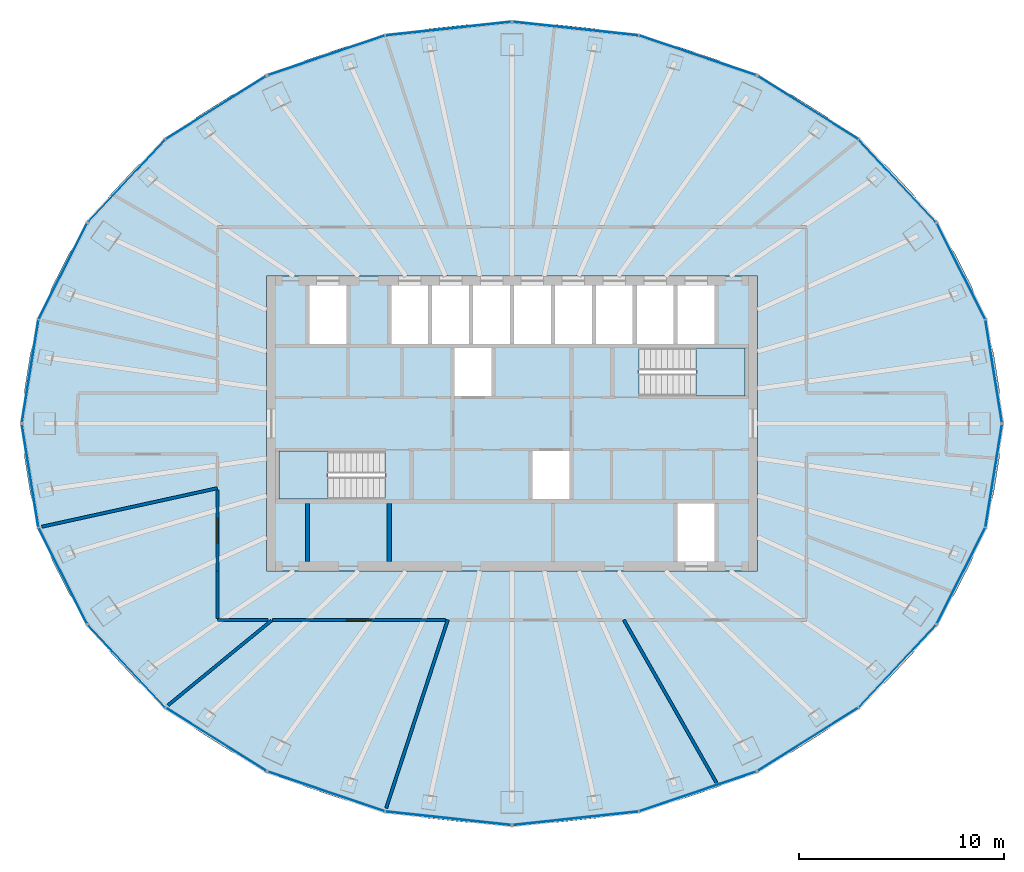
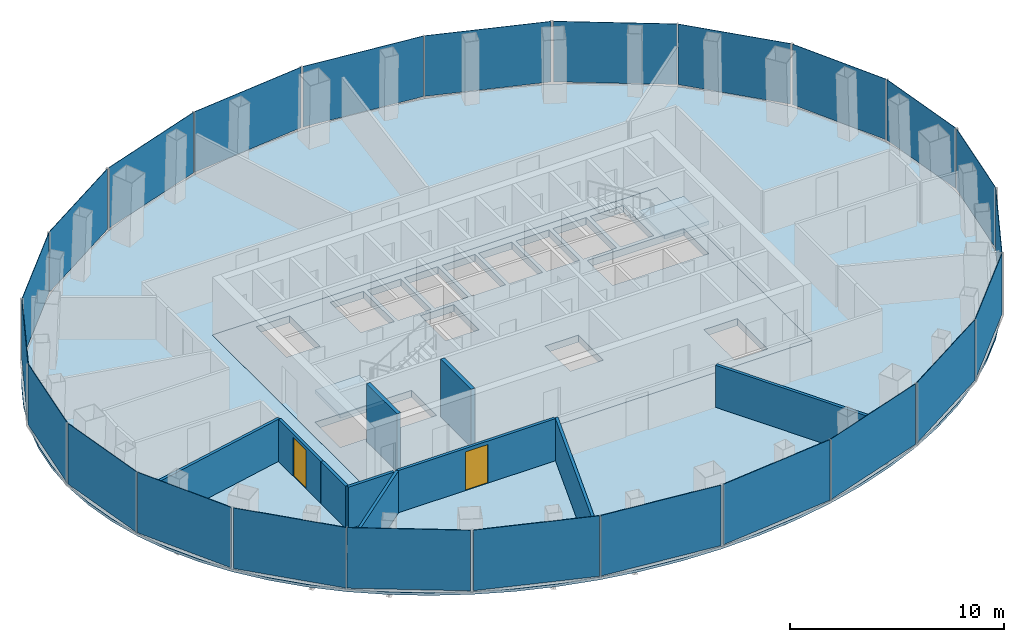
# One storey, part 6 of 10: 24 plates, 10 walls, 4 slabs, 2 doors, 2 openings, 14 elements without a shape of their own.
"""IFC4 building model written with IfcOpenShell, lengths in metres."""

import ifcopenshell
import ifcopenshell.guid

model = None  # the IFC model being written
_history = None  # IfcOwnerHistory: only IFC2X3 demands one
_inside = {}  # id of a spatial element -> (the spatial element, [elements in it])
_under = {}  # id of a project, library or spatial element -> (it, [spatial elements below it])
_declared = {}  # id of a project -> (the project, [libraries it declares])
_typed = {}  # id of a type object -> (the type object, [elements of that type])
_made_of = {}  # id of a material, layer set ... -> (it, [elements and type objects made of it])


def new_model(schema):
    """Start an empty IFC model of exactly this schema.

    Asked for "IFC4X3", IfcOpenShell would pick the latest addendum, in which some entities
    have other attributes; the version numbers below select the first issue.
    IFC2X3 requires an IfcOwnerHistory on every rooted entity: one is made here for all.
    """
    global model, _history
    if schema == "IFC4X3":
        model = ifcopenshell.file(schema_version=(4, 3, 0, 0))
    else:
        model = ifcopenshell.file(schema=schema)
    _inside.clear()
    _under.clear()
    _declared.clear()
    _typed.clear()
    _made_of.clear()
    _history = None
    if model.schema == "IFC2X3":
        org = make("IfcOrganization", Name="unknown")
        user = make(
            "IfcPersonAndOrganization",
            ThePerson=make("IfcPerson", FamilyName="unknown"),
            TheOrganization=org,
        )
        app = make(
            "IfcApplication",
            ApplicationDeveloper=org,
            Version="unknown",
            ApplicationFullName="unknown",
            ApplicationIdentifier="unknown",
        )
        _history = make(
            "IfcOwnerHistory",
            OwningUser=user,
            OwningApplication=app,
            ChangeAction="ADDED",
            CreationDate=0,
        )
    return model


def make(cls, **values):
    """One entity of the class cls with the attributes given. An attribute that is None is left unset."""
    return model.create_entity(
        cls, **{name: value for name, value in values.items() if value is not None}
    )


def rooted(cls, **values):
    """An entity with a GlobalId (a new one), such as an element, a storey or a relation."""
    return make(cls, GlobalId=ifcopenshell.guid.new(), OwnerHistory=_history, **values)


def si_unit(unit_type, name, prefix=None):
    """IfcSIUnit, for example si_unit("LENGTHUNIT", "METRE", prefix="MILLI")."""
    return make("IfcSIUnit", UnitType=unit_type, Prefix=prefix, Name=name)


def assignment(units):
    """IfcUnitAssignment: the units of a project."""
    return None if units is None else make("IfcUnitAssignment", Units=units)


def point(xyz):
    """IfcCartesianPoint."""
    return None if xyz is None else make("IfcCartesianPoint", Coordinates=xyz)


def direction(xyz):
    """IfcDirection."""
    return None if xyz is None else make("IfcDirection", DirectionRatios=xyz)


def frame(location, z_axis=None, x_axis=None):
    """IfcAxis2Placement3D, a coordinate frame: its origin and axes. An axis left out is left unset."""
    return make(
        "IfcAxis2Placement3D",
        Location=point(location),
        Axis=direction(z_axis),
        RefDirection=direction(x_axis),
    )


def frame_2d(location, x_axis=None):
    """IfcAxis2Placement2D, a coordinate frame in the plane: its origin and x axis."""
    return make(
        "IfcAxis2Placement2D", Location=point(location), RefDirection=direction(x_axis)
    )


def origin():
    """The frame at (0, 0, 0) with its axes left unset."""
    return frame((0.0, 0.0, 0.0))


def origin_2d():
    """The frame at (0, 0) in the plane with its x axis left unset."""
    return frame_2d((0.0, 0.0))


def place(relative_to, where):
    """IfcLocalPlacement: puts the frame where relative to a parent placement (None: the world)."""
    return make(
        "IfcLocalPlacement", PlacementRelTo=relative_to, RelativePlacement=where
    )


def context(
    kind, dimensions, precision=None, world=None, true_north=None, identifier=None
):
    """IfcGeometricRepresentationContext, for example the 3D "Model" context."""
    return make(
        "IfcGeometricRepresentationContext",
        ContextIdentifier=identifier,
        ContextType=kind,
        CoordinateSpaceDimension=dimensions,
        Precision=precision,
        WorldCoordinateSystem=world,
        TrueNorth=true_north,
    )


def subcontext(parent, identifier, kind, view, scale=None):
    """IfcGeometricRepresentationSubContext, for example "Body" below "Model"."""
    return make(
        "IfcGeometricRepresentationSubContext",
        ContextIdentifier=identifier,
        ContextType=kind,
        ParentContext=parent,
        TargetScale=scale,
        TargetView=view,
    )


def project(units=None, contexts=None):
    """IfcProject with its units and contexts."""
    return rooted(
        "IfcProject",
        Name="project",
        RepresentationContexts=contexts,
        UnitsInContext=assignment(units),
    )


def spatial(cls, under=None, at=None, **own):
    """A site, building, storey or space (cls), placed at a placement, below another one or the project."""
    s = rooted(cls, ObjectPlacement=at, **own)
    if under is not None:
        _under.setdefault(under.id(), (under, []))[1].append(s)
    return s


def polyline(points):
    """IfcPolyline through the points."""
    return make("IfcPolyline", Points=[point(p) for p in points])


def profile(cls, at=None, kind="AREA", **sizes):
    """A parametric profile (cls). Its sizes go by their IFC names, for example OverallWidth=200.0."""
    return make(cls, ProfileType=kind, Position=at, **sizes)


def rectangle(**sizes):
    """IfcRectangleProfileDef."""
    return profile("IfcRectangleProfileDef", **sizes)


def outline(outer, holes=None, kind="AREA"):
    """IfcArbitraryClosedProfileDef: a profile drawn as a closed curve; with holes, ...WithVoids."""
    if holes is None:
        return make("IfcArbitraryClosedProfileDef", ProfileType=kind, OuterCurve=outer)
    return make(
        "IfcArbitraryProfileDefWithVoids",
        ProfileType=kind,
        OuterCurve=outer,
        InnerCurves=holes,
    )


def extrude(swept, where, along, depth):
    """IfcExtrudedAreaSolid: the profile swept, set in the frame where, extruded along a direction by depth."""
    return make(
        "IfcExtrudedAreaSolid",
        SweptArea=swept,
        Position=where,
        ExtrudedDirection=direction(along),
        Depth=depth,
    )


def shape(context_of_items, identifier, shape_type, items):
    """IfcShapeRepresentation: the items that make up one representation, for example the "Body"."""
    return make(
        "IfcShapeRepresentation",
        ContextOfItems=context_of_items,
        RepresentationIdentifier=identifier,
        RepresentationType=shape_type,
        Items=items,
    )


def material(Name=None, Category=None):
    """IfcMaterial."""
    return make("IfcMaterial", Name=Name, Category=Category)


def layer(
    of_material, thickness, ventilated=None, Name=None, Category=None, Priority=None
):
    """IfcMaterialLayer: one layer of a wall or slab, of a material (None: an air gap)."""
    return make(
        "IfcMaterialLayer",
        Material=of_material,
        LayerThickness=thickness,
        IsVentilated=ventilated,
        Name=Name,
        Category=Category,
        Priority=Priority,
    )


def layer_set(layers, Name=None):
    """IfcMaterialLayerSet."""
    return make("IfcMaterialLayerSet", MaterialLayers=layers, LayerSetName=Name)


def made_of(thing, what):
    """Note that an element or type object is made of a material, layer set ...; save() writes the relation."""
    if what is not None:
        _made_of.setdefault(what.id(), (what, []))[1].append(thing)
    return thing


def type_object(cls, material=None, **own):
    """A type object (cls), such as IfcWallType, which elements share."""
    return made_of(rooted(cls, **own), material)


def element(
    cls,
    number,
    at=None,
    inside=None,
    cuts=None,
    type_object=None,
    material=None,
    context=None,
    identifier="Body",
    shape_type=None,
    held_by="IfcProductDefinitionShape",
    body=None,
    shapes=None,
    **own,
):
    """One element of the class cls, such as IfcWall. Its Tag is "e" and its number.

    at: its placement. inside: the storey or other place that contains it. cuts: it is an
    opening in that element (IfcRelVoidsElement). A single representation is given by context,
    identifier, shape_type and body (its items); several are given by shapes. held_by: the class
    of the entity that holds the representations. save() writes the other relations.
    """
    e = rooted(cls, Tag="e%d" % number, ObjectPlacement=at, **own)
    if body is not None:
        shapes = [shape(context, identifier, shape_type, body)]
    if shapes is not None:
        e.Representation = make(held_by, Representations=shapes)
    if inside is not None:
        _inside.setdefault(inside.id(), (inside, []))[1].append(e)
    if cuts is not None:
        rooted(
            "IfcRelVoidsElement", RelatingBuildingElement=cuts, RelatedOpeningElement=e
        )
    if type_object is not None:
        _typed.setdefault(type_object.id(), (type_object, []))[1].append(e)
    return made_of(e, material)


def fill(opening, filler):
    """IfcRelFillsElement: the door or window that sits in an opening."""
    return rooted(
        "IfcRelFillsElement",
        RelatingOpeningElement=opening,
        RelatedBuildingElement=filler,
    )


def aggregate(whole, parts):
    """IfcRelAggregates: a whole, such as a stair, and the parts it consists of."""
    return rooted("IfcRelAggregates", RelatingObject=whole, RelatedObjects=parts)


def save(model, path):
    """Write the relations noted so far, then the file.

    IfcRelAggregates (storeys below a building ...), IfcRelContainedInSpatialStructure (elements
    in a storey), IfcRelDefinesByType, IfcRelAssociatesMaterial and IfcRelDeclares: one each for
    every whole, place, type object, material and project.
    """
    for whole, parts in _under.values():
        aggregate(whole, parts)
    for where, things in _inside.values():
        rooted(
            "IfcRelContainedInSpatialStructure",
            RelatedElements=things,
            RelatingStructure=where,
        )
    for kind, things in _typed.values():
        rooted("IfcRelDefinesByType", RelatedObjects=things, RelatingType=kind)
    for what, things in _made_of.values():
        rooted("IfcRelAssociatesMaterial", RelatedObjects=things, RelatingMaterial=what)
    for by, libraries in _declared.values():
        rooted("IfcRelDeclares", RelatingContext=by, RelatedDefinitions=libraries)
    model.write(path)


model = new_model("IFC4")

# Units and contexts
model_context = context("Model", 3, precision=1e-05, world=origin(), true_north=direction((0.0, 1.0)))
body_context = subcontext(model_context, "Body", "Model", "MODEL_VIEW")
ifc_project = project(units=[si_unit("LENGTHUNIT", "METRE"), si_unit("AREAUNIT", "SQUARE_METRE"), si_unit("VOLUMEUNIT", "CUBIC_METRE"), si_unit("PLANEANGLEUNIT", "RADIAN"), si_unit("MASSUNIT", "GRAM", prefix="KILO")], contexts=[model_context])

# Site, building, storey
site_placement = place(None, origin())
site = spatial("IfcSite", under=ifc_project, at=site_placement, CompositionType="ELEMENT")
building_placement = place(site_placement, origin())
building = spatial("IfcBuilding", under=site, at=building_placement, Name="Siaravel Broadcast Tower", CompositionType="ELEMENT")
storey_placement = place(building_placement, frame((0.0, 0.0, 160.800048828125)))
storey = spatial("IfcBuildingStorey", under=building, at=storey_placement, Name="L38", CompositionType="ELEMENT", Elevation=160.800048828125)

# Curtain wall, plates
ifc_material_1 = material(Name="Aluminium 6063-T6", Category="aluminium")
ifc_layer_1 = layer(ifc_material_1, 0.179931640625)
ifc_layer_set_1 = layer_set([ifc_layer_1], Name="Aluminium 6063-T6")
curtain_wall_type = type_object("IfcCurtainWallType", Name="Unitised curtain wall, zone 3", PredefinedType="NOTDEFINED", material=ifc_layer_set_1)
curtain_wall_1_placement = place(storey_placement, origin())
curtain_wall_1 = element("IfcCurtainWall", 1, at=curtain_wall_1_placement, inside=storey, type_object=curtain_wall_type, Name="L38 Unitised curtain wall, zone 3 01", PredefinedType="NOTDEFINED")
ifc_material_2 = material(Name="Tinted insulated glass", Category="glass")
ifc_layer_2 = layer(ifc_material_2, 0.028076171875)
ifc_layer_set_2 = layer_set([ifc_layer_2], Name="Tinted insulated glass")
plate_type = type_object("IfcPlateType", Name="CW-Z3 glass panel", PredefinedType="CURTAIN_PANEL", material=ifc_layer_set_2)
plate_1_placement = place(storey_placement, frame((23.5517578125, 2.557373046875, 0.10009765625), z_axis=(0.0, 0.0, 1.0), x_axis=(-0.158685063, 0.987329251, 0.0)))
plate_1 = element("IfcPlate", 2, at=plate_1_placement, type_object=plate_type, Name="CW-Z3 glass panel", PredefinedType="CURTAIN_PANEL", context=body_context, shape_type="SweptSolid", body=[
    extrude(rectangle(XDim=5.060302734375, YDim=0.028076171875, at=origin_2d()), origin(), (0.0, 0.0, 1.0), 3.449951171875),
])
plate_2_placement = place(storey_placement, frame((21.95458984375, 7.4404296875, 0.10009765625), z_axis=(0.0, 0.0, 1.0), x_axis=(-0.451259864, 0.89239259, 0.0)))
plate_2 = element("IfcPlate", 3, at=plate_2_placement, type_object=plate_type, Name="CW-Z3 glass panel", PredefinedType="CURTAIN_PANEL", context=body_context, shape_type="SweptSolid", body=[
    extrude(rectangle(XDim=5.218505859375, YDim=0.028076171875, at=origin_2d()), origin(), (0.0, 0.0, 1.0), 3.449951171875),
])
aggregate(curtain_wall_1, [plate_1, plate_2])

curtain_wall_2_placement = place(storey_placement, origin())
curtain_wall_2 = element("IfcCurtainWall", 4, at=curtain_wall_2_placement, inside=storey, type_object=curtain_wall_type, Name="L38 Unitised curtain wall, zone 3 02", PredefinedType="NOTDEFINED")
plate_3_placement = place(storey_placement, frame((18.8349609375, 11.86669921875, 0.10009765625), z_axis=(0.0, 0.0, 1.0), x_axis=(-0.683654117, 0.729806172, 0.0)))
plate_3 = element("IfcPlate", 5, at=plate_3_placement, type_object=plate_type, Name="CW-Z3 glass panel", PredefinedType="CURTAIN_PANEL", context=body_context, shape_type="SweptSolid", body=[
    extrude(rectangle(XDim=5.482177734375, YDim=0.028076171875, at=origin_2d()), origin(), (0.0, 0.0, 1.0), 3.449951171875),
])
plate_4_placement = place(storey_placement, frame((14.471923828125, 15.440673828125, 0.10009765625), z_axis=(0.0, 0.0, 1.0), x_axis=(-0.846649928, 0.532150259, 0.0)))
plate_4 = element("IfcPlate", 6, at=plate_4_placement, type_object=plate_type, Name="CW-Z3 glass panel", PredefinedType="CURTAIN_PANEL", context=body_context, shape_type="SweptSolid", body=[
    extrude(rectangle(XDim=5.771728515625, YDim=0.028076171875, at=origin_2d()), origin(), (0.0, 0.0, 1.0), 3.449951171875),
])
aggregate(curtain_wall_2, [plate_3, plate_4])

curtain_wall_3_placement = place(storey_placement, origin())
curtain_wall_3 = element("IfcCurtainWall", 7, at=curtain_wall_3_placement, inside=storey, type_object=curtain_wall_type, Name="L38 Unitised curtain wall, zone 3 03", PredefinedType="NOTDEFINED")
plate_5_placement = place(storey_placement, frame((9.07470703125, 17.993408203125, 0.10009765625), z_axis=(0.0, 0.0, 1.0), x_axis=(-0.946976983, 0.321301405, 0.0)))
plate_5 = element("IfcPlate", 8, at=plate_5_placement, type_object=plate_type, Name="CW-Z3 glass panel", PredefinedType="CURTAIN_PANEL", context=body_context, shape_type="SweptSolid", body=[
    extrude(rectangle(XDim=6.011474609375, YDim=0.028076171875, at=origin_2d()), origin(), (0.0, 0.0, 1.0), 3.449951171875),
])
plate_6_placement = place(storey_placement, frame((3.11474609375, 19.301513671875, 0.10009765625), z_axis=(0.0, 0.0, 1.0), x_axis=(-0.99423556, 0.107217776, 0.0)))
plate_6 = element("IfcPlate", 9, at=plate_6_placement, type_object=plate_type, Name="CW-Z3 glass panel", PredefinedType="CURTAIN_PANEL", context=body_context, shape_type="SweptSolid", body=[
    extrude(rectangle(XDim=6.145751953125, YDim=0.028076171875, at=origin_2d()), origin(), (0.0, 0.0, 1.0), 3.449951171875),
])
aggregate(curtain_wall_3, [plate_5, plate_6])

curtain_wall_4_placement = place(storey_placement, origin())
curtain_wall_4 = element("IfcCurtainWall", 10, at=curtain_wall_4_placement, inside=storey, type_object=curtain_wall_type, Name="L38 Unitised curtain wall, zone 3 04", PredefinedType="NOTDEFINED")
plate_7_placement = place(storey_placement, frame((-3.11474609375, 19.301513671875, 0.10009765625), z_axis=(0.0, 0.0, 1.0), x_axis=(-0.99423556, -0.107217776, 0.0)))
plate_7 = element("IfcPlate", 11, at=plate_7_placement, type_object=plate_type, Name="CW-Z3 glass panel", PredefinedType="CURTAIN_PANEL", context=body_context, shape_type="SweptSolid", body=[
    extrude(rectangle(XDim=6.145751953125, YDim=0.028076171875, at=origin_2d()), origin(), (0.0, 0.0, 1.0), 3.449951171875),
])
plate_8_placement = place(storey_placement, frame((-9.07470703125, 17.993408203125, 0.10009765625), z_axis=(0.0, 0.0, 1.0), x_axis=(-0.946976983, -0.321301405, 0.0)))
plate_8 = element("IfcPlate", 12, at=plate_8_placement, type_object=plate_type, Name="CW-Z3 glass panel", PredefinedType="CURTAIN_PANEL", context=body_context, shape_type="SweptSolid", body=[
    extrude(rectangle(XDim=6.011474609375, YDim=0.028076171875, at=origin_2d()), origin(), (0.0, 0.0, 1.0), 3.449951171875),
])
aggregate(curtain_wall_4, [plate_7, plate_8])

curtain_wall_5_placement = place(storey_placement, origin())
curtain_wall_5 = element("IfcCurtainWall", 13, at=curtain_wall_5_placement, inside=storey, type_object=curtain_wall_type, Name="L38 Unitised curtain wall, zone 3 05", PredefinedType="NOTDEFINED")
plate_9_placement = place(storey_placement, frame((-14.471923828125, 15.440673828125, 0.10009765625), z_axis=(0.0, 0.0, 1.0), x_axis=(-0.846649928, -0.532150259, 0.0)))
plate_9 = element("IfcPlate", 14, at=plate_9_placement, type_object=plate_type, Name="CW-Z3 glass panel", PredefinedType="CURTAIN_PANEL", context=body_context, shape_type="SweptSolid", body=[
    extrude(rectangle(XDim=5.771728515625, YDim=0.028076171875, at=origin_2d()), origin(), (0.0, 0.0, 1.0), 3.449951171875),
])
plate_10_placement = place(storey_placement, frame((-18.8349609375, 11.86669921875, 0.10009765625), z_axis=(0.0, 0.0, 1.0), x_axis=(-0.683654117, -0.729806172, 0.0)))
plate_10 = element("IfcPlate", 15, at=plate_10_placement, type_object=plate_type, Name="CW-Z3 glass panel", PredefinedType="CURTAIN_PANEL", context=body_context, shape_type="SweptSolid", body=[
    extrude(rectangle(XDim=5.482177734375, YDim=0.028076171875, at=origin_2d()), origin(), (0.0, 0.0, 1.0), 3.449951171875),
])
aggregate(curtain_wall_5, [plate_9, plate_10])

curtain_wall_6_placement = place(storey_placement, origin())
curtain_wall_6 = element("IfcCurtainWall", 16, at=curtain_wall_6_placement, inside=storey, type_object=curtain_wall_type, Name="L38 Unitised curtain wall, zone 3 06", PredefinedType="NOTDEFINED")
plate_11_placement = place(storey_placement, frame((-21.95458984375, 7.4404296875, 0.10009765625), z_axis=(0.0, 0.0, 1.0), x_axis=(-0.451259864, -0.89239259, 0.0)))
plate_11 = element("IfcPlate", 17, at=plate_11_placement, type_object=plate_type, Name="CW-Z3 glass panel", PredefinedType="CURTAIN_PANEL", context=body_context, shape_type="SweptSolid", body=[
    extrude(rectangle(XDim=5.218505859375, YDim=0.028076171875, at=origin_2d()), origin(), (0.0, 0.0, 1.0), 3.449951171875),
])
plate_12_placement = place(storey_placement, frame((-23.5517578125, 2.557373046875, 0.10009765625), z_axis=(0.0, 0.0, 1.0), x_axis=(-0.158685063, -0.987329251, 0.0)))
plate_12 = element("IfcPlate", 18, at=plate_12_placement, type_object=plate_type, Name="CW-Z3 glass panel", PredefinedType="CURTAIN_PANEL", context=body_context, shape_type="SweptSolid", body=[
    extrude(rectangle(XDim=5.060302734375, YDim=0.028076171875, at=origin_2d()), origin(), (0.0, 0.0, 1.0), 3.449951171875),
])
aggregate(curtain_wall_6, [plate_11, plate_12])

curtain_wall_7_placement = place(storey_placement, origin())
curtain_wall_7 = element("IfcCurtainWall", 19, at=curtain_wall_7_placement, inside=storey, type_object=curtain_wall_type, Name="L38 Unitised curtain wall, zone 3 07", PredefinedType="NOTDEFINED")
plate_13_placement = place(storey_placement, frame((-23.5517578125, -2.557373046875, 0.10009765625), z_axis=(0.0, 0.0, 1.0), x_axis=(0.158685063, -0.987329251, 0.0)))
plate_13 = element("IfcPlate", 20, at=plate_13_placement, type_object=plate_type, Name="CW-Z3 glass panel", PredefinedType="CURTAIN_PANEL", context=body_context, shape_type="SweptSolid", body=[
    extrude(rectangle(XDim=5.060302734375, YDim=0.028076171875, at=origin_2d()), origin(), (0.0, 0.0, 1.0), 3.449951171875),
])
plate_14_placement = place(storey_placement, frame((-21.95458984375, -7.4404296875, 0.10009765625), z_axis=(0.0, 0.0, 1.0), x_axis=(0.451259864, -0.89239259, 0.0)))
plate_14 = element("IfcPlate", 21, at=plate_14_placement, type_object=plate_type, Name="CW-Z3 glass panel", PredefinedType="CURTAIN_PANEL", context=body_context, shape_type="SweptSolid", body=[
    extrude(rectangle(XDim=5.218505859375, YDim=0.028076171875, at=origin_2d()), origin(), (0.0, 0.0, 1.0), 3.449951171875),
])
aggregate(curtain_wall_7, [plate_13, plate_14])

curtain_wall_8_placement = place(storey_placement, origin())
curtain_wall_8 = element("IfcCurtainWall", 22, at=curtain_wall_8_placement, inside=storey, type_object=curtain_wall_type, Name="L38 Unitised curtain wall, zone 3 08", PredefinedType="NOTDEFINED")
plate_15_placement = place(storey_placement, frame((-18.8349609375, -11.86669921875, 0.10009765625), z_axis=(0.0, 0.0, 1.0), x_axis=(0.683654117, -0.729806172, 0.0)))
plate_15 = element("IfcPlate", 23, at=plate_15_placement, type_object=plate_type, Name="CW-Z3 glass panel", PredefinedType="CURTAIN_PANEL", context=body_context, shape_type="SweptSolid", body=[
    extrude(rectangle(XDim=5.482177734375, YDim=0.028076171875, at=origin_2d()), origin(), (0.0, 0.0, 1.0), 3.449951171875),
])
plate_16_placement = place(storey_placement, frame((-14.471923828125, -15.440673828125, 0.10009765625), z_axis=(0.0, 0.0, 1.0), x_axis=(0.846649928, -0.532150259, 0.0)))
plate_16 = element("IfcPlate", 24, at=plate_16_placement, type_object=plate_type, Name="CW-Z3 glass panel", PredefinedType="CURTAIN_PANEL", context=body_context, shape_type="SweptSolid", body=[
    extrude(rectangle(XDim=5.771728515625, YDim=0.028076171875, at=origin_2d()), origin(), (0.0, 0.0, 1.0), 3.449951171875),
])
aggregate(curtain_wall_8, [plate_15, plate_16])

curtain_wall_9_placement = place(storey_placement, origin())
curtain_wall_9 = element("IfcCurtainWall", 25, at=curtain_wall_9_placement, inside=storey, type_object=curtain_wall_type, Name="L38 Unitised curtain wall, zone 3 09", PredefinedType="NOTDEFINED")
plate_17_placement = place(storey_placement, frame((-9.07470703125, -17.993408203125, 0.10009765625), z_axis=(0.0, 0.0, 1.0), x_axis=(0.946976983, -0.321301405, 0.0)))
plate_17 = element("IfcPlate", 26, at=plate_17_placement, type_object=plate_type, Name="CW-Z3 glass panel", PredefinedType="CURTAIN_PANEL", context=body_context, shape_type="SweptSolid", body=[
    extrude(rectangle(XDim=6.011474609375, YDim=0.028076171875, at=origin_2d()), origin(), (0.0, 0.0, 1.0), 3.449951171875),
])
plate_18_placement = place(storey_placement, frame((-3.11474609375, -19.301513671875, 0.10009765625), z_axis=(0.0, 0.0, 1.0), x_axis=(0.99423556, -0.107217776, 0.0)))
plate_18 = element("IfcPlate", 27, at=plate_18_placement, type_object=plate_type, Name="CW-Z3 glass panel", PredefinedType="CURTAIN_PANEL", context=body_context, shape_type="SweptSolid", body=[
    extrude(rectangle(XDim=6.145751953125, YDim=0.028076171875, at=origin_2d()), origin(), (0.0, 0.0, 1.0), 3.449951171875),
])
aggregate(curtain_wall_9, [plate_17, plate_18])

curtain_wall_10_placement = place(storey_placement, origin())
curtain_wall_10 = element("IfcCurtainWall", 28, at=curtain_wall_10_placement, inside=storey, type_object=curtain_wall_type, Name="L38 Unitised curtain wall, zone 3 10", PredefinedType="NOTDEFINED")
plate_19_placement = place(storey_placement, frame((3.11474609375, -19.301513671875, 0.10009765625), z_axis=(0.0, 0.0, 1.0), x_axis=(0.99423556, 0.107217776, 0.0)))
plate_19 = element("IfcPlate", 29, at=plate_19_placement, type_object=plate_type, Name="CW-Z3 glass panel", PredefinedType="CURTAIN_PANEL", context=body_context, shape_type="SweptSolid", body=[
    extrude(rectangle(XDim=6.145751953125, YDim=0.028076171875, at=origin_2d()), origin(), (0.0, 0.0, 1.0), 3.449951171875),
])
plate_20_placement = place(storey_placement, frame((9.07470703125, -17.993408203125, 0.10009765625), z_axis=(0.0, 0.0, 1.0), x_axis=(0.946976983, 0.321301405, 0.0)))
plate_20 = element("IfcPlate", 30, at=plate_20_placement, type_object=plate_type, Name="CW-Z3 glass panel", PredefinedType="CURTAIN_PANEL", context=body_context, shape_type="SweptSolid", body=[
    extrude(rectangle(XDim=6.011474609375, YDim=0.028076171875, at=origin_2d()), origin(), (0.0, 0.0, 1.0), 3.449951171875),
])
aggregate(curtain_wall_10, [plate_19, plate_20])

curtain_wall_11_placement = place(storey_placement, origin())
curtain_wall_11 = element("IfcCurtainWall", 31, at=curtain_wall_11_placement, inside=storey, type_object=curtain_wall_type, Name="L38 Unitised curtain wall, zone 3 11", PredefinedType="NOTDEFINED")
plate_21_placement = place(storey_placement, frame((14.471923828125, -15.440673828125, 0.10009765625), z_axis=(0.0, 0.0, 1.0), x_axis=(0.846649928, 0.532150259, 0.0)))
plate_21 = element("IfcPlate", 32, at=plate_21_placement, type_object=plate_type, Name="CW-Z3 glass panel", PredefinedType="CURTAIN_PANEL", context=body_context, shape_type="SweptSolid", body=[
    extrude(rectangle(XDim=5.771728515625, YDim=0.028076171875, at=origin_2d()), origin(), (0.0, 0.0, 1.0), 3.449951171875),
])
plate_22_placement = place(storey_placement, frame((18.8349609375, -11.86669921875, 0.10009765625), z_axis=(0.0, 0.0, 1.0), x_axis=(0.683654117, 0.729806172, 0.0)))
plate_22 = element("IfcPlate", 33, at=plate_22_placement, type_object=plate_type, Name="CW-Z3 glass panel", PredefinedType="CURTAIN_PANEL", context=body_context, shape_type="SweptSolid", body=[
    extrude(rectangle(XDim=5.482177734375, YDim=0.028076171875, at=origin_2d()), origin(), (0.0, 0.0, 1.0), 3.449951171875),
])
aggregate(curtain_wall_11, [plate_21, plate_22])

curtain_wall_12_placement = place(storey_placement, origin())
curtain_wall_12 = element("IfcCurtainWall", 34, at=curtain_wall_12_placement, inside=storey, type_object=curtain_wall_type, Name="L38 Unitised curtain wall, zone 3 12", PredefinedType="NOTDEFINED")
plate_23_placement = place(storey_placement, frame((21.95458984375, -7.4404296875, 0.10009765625), z_axis=(0.0, 0.0, 1.0), x_axis=(0.451259864, 0.89239259, 0.0)))
plate_23 = element("IfcPlate", 35, at=plate_23_placement, type_object=plate_type, Name="CW-Z3 glass panel", PredefinedType="CURTAIN_PANEL", context=body_context, shape_type="SweptSolid", body=[
    extrude(rectangle(XDim=5.218505859375, YDim=0.028076171875, at=origin_2d()), origin(), (0.0, 0.0, 1.0), 3.449951171875),
])
plate_24_placement = place(storey_placement, frame((23.5517578125, -2.557373046875, 0.10009765625), z_axis=(0.0, 0.0, 1.0), x_axis=(0.158685063, 0.987329251, 0.0)))
plate_24 = element("IfcPlate", 36, at=plate_24_placement, type_object=plate_type, Name="CW-Z3 glass panel", PredefinedType="CURTAIN_PANEL", context=body_context, shape_type="SweptSolid", body=[
    extrude(rectangle(XDim=5.060302734375, YDim=0.028076171875, at=origin_2d()), origin(), (0.0, 0.0, 1.0), 3.449951171875),
])
aggregate(curtain_wall_12, [plate_23, plate_24])

# Slabs
ifc_material_3 = material(Name="Concrete C40/50", Category="concrete")
ifc_layer_3 = layer(ifc_material_3, 0.39990234375)
ifc_layer_set_3 = layer_set([ifc_layer_3], Name="Concrete C40/50")
slab_type_1 = type_object("IfcSlabType", Name="Core floor slab 400", PredefinedType="FLOOR", material=ifc_layer_set_3)
slab_1_placement = place(storey_placement, frame((0.0, 0.0, -0.400146484375)))
element("IfcSlab", 37, at=slab_1_placement, inside=storey, type_object=slab_type_1, Name="L38 core floor", PredefinedType="FLOOR", context=body_context, shape_type="SweptSolid", body=[
    extrude(outline(polyline([(-12.0, -7.199951171875), (-12.0, 7.199951171875), (12.0, 7.199951171875), (12.0, -7.199951171875), (-12.0, -7.199951171875)]), holes=[polyline([(11.3994140625, 1.3505859375), (11.3994140625, 3.699462890625), (6.200439453125, 3.699462890625), (6.200439453125, 1.3505859375), (11.3994140625, 1.3505859375)]), polyline([(8.10009765625, -3.89990234375), (8.10009765625, -6.75), (9.89990234375, -6.75), (9.89990234375, -3.89990234375), (8.10009765625, -3.89990234375)]), polyline([(9.89990234375, 6.75), (8.10009765625, 6.75), (8.10009765625, 3.89990234375), (9.89990234375, 3.89990234375), (9.89990234375, 6.75)]), polyline([(7.89990234375, 6.75), (6.10009765625, 6.75), (6.10009765625, 3.89990234375), (7.89990234375, 3.89990234375), (7.89990234375, 6.75)]), polyline([(5.89990234375, 6.75), (4.10009765625, 6.75), (4.10009765625, 3.89990234375), (5.89990234375, 3.89990234375), (5.89990234375, 6.75)]), polyline([(3.89990234375, 6.75), (2.10009765625, 6.75), (2.10009765625, 3.89990234375), (3.89990234375, 3.89990234375), (3.89990234375, 6.75)]), polyline([(2.800048828125, -1.35009765625), (1.0, -1.35009765625), (1.0, -3.699951171875), (2.800048828125, -3.699951171875), (2.800048828125, -1.35009765625)]), polyline([(1.89990234375, 6.75), (0.10009765625, 6.75), (0.10009765625, 3.89990234375), (1.89990234375, 3.89990234375), (1.89990234375, 6.75)]), polyline([(-0.10009765625, 6.75), (-1.89990234375, 6.75), (-1.89990234375, 3.89990234375), (-0.10009765625, 3.89990234375), (-0.10009765625, 6.75)]), polyline([(-1.0, 3.699951171875), (-2.800048828125, 3.699951171875), (-2.800048828125, 1.35009765625), (-1.0, 1.35009765625), (-1.0, 3.699951171875)]), polyline([(-2.10009765625, 6.75), (-3.89990234375, 6.75), (-3.89990234375, 3.89990234375), (-2.10009765625, 3.89990234375), (-2.10009765625, 6.75)]), polyline([(-4.10009765625, 6.75), (-5.89990234375, 6.75), (-5.89990234375, 3.89990234375), (-4.10009765625, 3.89990234375), (-4.10009765625, 6.75)]), polyline([(-11.3994140625, -3.699462890625), (-6.200439453125, -3.699462890625), (-6.200439453125, -1.3505859375), (-11.3994140625, -1.3505859375), (-11.3994140625, -3.699462890625)]), polyline([(-8.10009765625, 6.75), (-9.89990234375, 6.75), (-9.89990234375, 3.89990234375), (-8.10009765625, 3.89990234375), (-8.10009765625, 6.75)])]), origin(), (0.0, 0.0, 1.0), 0.400146484375),
])
ifc_layer_4 = layer(ifc_material_3, 0.14990234375)
ifc_layer_set_4 = layer_set([ifc_layer_4], Name="Concrete C40/50")
slab_type_2 = type_object("IfcSlabType", Name="SLB-FLOOR-150", PredefinedType="FLOOR", material=ifc_layer_set_4)
slab_2_placement = place(storey_placement, frame((0.0, 0.0, -0.150146484375)))
element("IfcSlab", 38, at=slab_2_placement, inside=storey, type_object=slab_type_2, Name="Floor slab", PredefinedType="FLOOR", context=body_context, shape_type="SweptSolid", body=[
    extrude(outline(polyline([(23.912841796875, 0.0), (23.82177734375, 1.70703125), (23.549560546875, 3.4013671875), (23.097900390625, 5.069580078125), (22.470703125, 6.69921875), (21.67236328125, 8.278076171875), (20.708984375, 9.793701171875), (19.588134765625, 11.23486328125), (18.318359375, 12.590576171875), (16.908935546875, 13.850341796875), (15.370849609375, 15.004638671875), (13.7158203125, 16.044921875), (11.956298828125, 16.963134765625), (10.10595703125, 17.752197265625), (8.1787109375, 18.406005859375), (6.189208984375, 18.919921875), (4.15234375, 19.289794921875), (2.083984375, 19.5126953125), (0.0, 19.58740234375), (-2.083984375, 19.5126953125), (-4.15234375, 19.289794921875), (-6.189208984375, 18.919921875), (-8.1787109375, 18.406005859375), (-10.10595703125, 17.752197265625), (-11.956298828125, 16.963134765625), (-13.7158203125, 16.044921875), (-15.370849609375, 15.004638671875), (-16.908935546875, 13.850341796875), (-18.318359375, 12.590576171875), (-19.588134765625, 11.23486328125), (-20.708984375, 9.793701171875), (-21.67236328125, 8.278076171875), (-22.470703125, 6.69921875), (-23.097900390625, 5.069580078125), (-23.549560546875, 3.4013671875), (-23.82177734375, 1.70703125), (-23.912841796875, 0.0), (-23.82177734375, -1.70703125), (-23.549560546875, -3.4013671875), (-23.097900390625, -5.069580078125), (-22.470703125, -6.69921875), (-21.67236328125, -8.278076171875), (-20.708984375, -9.793701171875), (-19.588134765625, -11.23486328125), (-18.318359375, -12.590576171875), (-16.908935546875, -13.850341796875), (-15.370849609375, -15.004638671875), (-13.7158203125, -16.044921875), (-11.956298828125, -16.963134765625), (-10.10595703125, -17.752197265625), (-8.1787109375, -18.406005859375), (-6.189208984375, -18.919921875), (-4.15234375, -19.289794921875), (-2.083984375, -19.5126953125), (0.0, -19.58740234375), (2.083984375, -19.5126953125), (4.15234375, -19.289794921875), (6.189208984375, -18.919921875), (8.1787109375, -18.406005859375), (10.10595703125, -17.752197265625), (11.956298828125, -16.963134765625), (13.7158203125, -16.044921875), (15.370849609375, -15.004638671875), (16.908935546875, -13.850341796875), (18.318359375, -12.590576171875), (19.588134765625, -11.23486328125), (20.708984375, -9.793701171875), (21.67236328125, -8.278076171875), (22.470703125, -6.69921875), (23.097900390625, -5.069580078125), (23.549560546875, -3.4013671875), (23.82177734375, -1.70703125), (23.912841796875, 0.0)]), holes=[polyline([(-12.0, 7.199951171875), (12.0, 7.199951171875), (12.0, -7.199951171875), (-12.0, -7.199951171875), (-12.0, 7.199951171875)])]), origin(), (0.0, 0.0, 1.0), 0.150146484375),
])

# Stair, slab
stair_type = type_object("IfcStairType", Name="Core exit stair", PredefinedType="HALF_TURN_STAIR", material=ifc_material_3)
stair_1_placement = place(storey_placement, origin())
stair_1 = element("IfcStair", 39, at=stair_1_placement, inside=storey, type_object=stair_type, Name="L38 Exit stair ST-1", PredefinedType="HALF_TURN_STAIR")
ifc_layer_5 = layer(ifc_material_3, 0.199951171875)
ifc_layer_set_5 = layer_set([ifc_layer_5], Name="Concrete C40/50")
slab_type_3 = type_object("IfcSlabType", Name="Stair landing", PredefinedType="LANDING", material=ifc_layer_set_5)
slab_3_placement = place(storey_placement, frame((0.0, 0.0, 1.64990234375)))
slab_3 = element("IfcSlab", 40, at=slab_3_placement, type_object=slab_type_3, Name="ST-1 landing 1", PredefinedType="LANDING", context=body_context, shape_type="SweptSolid", body=[
    extrude(outline(polyline([(-9.0, -1.35009765625), (-11.39990234375, -1.35009765625), (-11.39990234375, -3.699951171875), (-9.0, -3.699951171875), (-9.0, -1.35009765625)])), origin(), (0.0, 0.0, 1.0), 0.199951171875),
])
aggregate(stair_1, [slab_3])

stair_2_placement = place(storey_placement, origin())
stair_2 = element("IfcStair", 41, at=stair_2_placement, inside=storey, type_object=stair_type, Name="L38 Exit stair ST-2", PredefinedType="HALF_TURN_STAIR")
slab_4_placement = place(storey_placement, frame((0.0, 0.0, 1.64990234375)))
slab_4 = element("IfcSlab", 42, at=slab_4_placement, type_object=slab_type_3, Name="ST-2 landing 1", PredefinedType="LANDING", context=body_context, shape_type="SweptSolid", body=[
    extrude(outline(polyline([(9.0, 1.35009765625), (11.39990234375, 1.35009765625), (11.39990234375, 3.699951171875), (9.0, 3.699951171875), (9.0, 1.35009765625)])), origin(), (0.0, 0.0, 1.0), 0.199951171875),
])
aggregate(stair_2, [slab_4])

# Wall
ifc_material_4 = material(Name="Concrete blockwork", Category="masonry")
ifc_layer_6 = layer(ifc_material_4, 0.199951171875)
ifc_layer_set_6 = layer_set([ifc_layer_6], Name="Concrete blockwork")
wall_type_1 = type_object("IfcWallType", Name="Core partition 200", PredefinedType="PARTITIONING", material=ifc_layer_set_6)
wall_1_placement = place(storey_placement, frame((-6.0, -6.75, 0.0), z_axis=(0.0, 0.0, 1.0), x_axis=(0.0, 1.0, 0.0)))
element("IfcWall", 43, at=wall_1_placement, inside=storey, type_object=wall_type_1, Name="L38 core partition PFS0", PredefinedType="PARTITIONING", context=body_context, shape_type="SweptSolid", body=[
    extrude(rectangle(XDim=2.85009765625, YDim=0.199951171875, at=frame_2d((1.425048828125, 0.0))), origin(), (0.0, 0.0, 1.0), 3.300048828125),
])

# Wall, opening, door
ifc_material_5 = material(Name="Gypsum board partition", Category="gypsum")
ifc_layer_7 = layer(ifc_material_5, 0.14990234375)
ifc_layer_set_7 = layer_set([ifc_layer_7], Name="Gypsum board partition")
wall_type_2 = type_object("IfcWallType", Name="Corridor wall 150", PredefinedType="PARTITIONING", material=ifc_layer_set_7)
wall_2_placement = place(storey_placement, frame((-11.719970703125, -9.60009765625, 0.0), z_axis=(0.0, 0.0, 1.0), x_axis=(1.0, 0.0, 0.0)))
wall_2 = element("IfcWall", 44, at=wall_2_placement, inside=storey, type_object=wall_type_2, Name="L38 partition 11", PredefinedType="PARTITIONING", context=body_context, shape_type="SweptSolid", body=[
    extrude(rectangle(XDim=8.47412109375, YDim=0.14990234375, at=frame_2d((4.237060546875, 0.0))), origin(), (0.0, 0.0, 1.0), 2.39990234375),
])
opening_1_placement = place(wall_2_placement, frame((3.63720703125, 0.0, 0.0)))
opening_1 = element("IfcOpeningElement", 45, at=opening_1_placement, cuts=wall_2, Name="Opening L38-008", PredefinedType="OPENING", context=body_context, shape_type="SweptSolid", body=[
    extrude(rectangle(XDim=1.199951171875, YDim=2.199951171875, at=frame_2d((0.60009765625, 1.10009765625))), frame((0.0, 0.0849609375, 0.0), z_axis=(0.0, -1.0, 0.0), x_axis=(1.0, 0.0, 0.0)), (0.0, 0.0, 1.0), 0.169921875),
])
ifc_material_6 = material(Name="Timber veneer", Category="wood")
door_type = type_object("IfcDoorType", Name="Office double door 1200", OperationType="DOUBLE_DOOR_SINGLE_SWING", PredefinedType="DOOR", material=ifc_material_6)
door_1_placement = place(opening_1_placement, origin())
door_1 = element("IfcDoor", 46, at=door_1_placement, inside=storey, type_object=door_type, Name="L38 door to Open plan office", OperationType="DOUBLE_DOOR_SINGLE_SWING", OverallHeight=2.199951171875, OverallWidth=1.199951171875, PredefinedType="DOOR", context=body_context, shape_type="SweptSolid", body=[
    extrude(rectangle(XDim=1.199951171875, YDim=2.199951171875, at=frame_2d((0.60009765625, 1.10009765625))), frame((0.0, 0.02490234375, 0.0), z_axis=(0.0, -1.0, 0.0), x_axis=(1.0, 0.0, 0.0)), (0.0, 0.0, 1.0), 0.050048828125),
])
fill(opening_1, door_1)

wall_3_placement = place(storey_placement, frame((-14.39990234375, -3.255859375, 0.0), z_axis=(0.0, 0.0, 1.0), x_axis=(0.0, -1.0, 0.0)))
wall_3 = element("IfcWall", 47, at=wall_3_placement, inside=storey, type_object=wall_type_2, Name="L38 partition 22", PredefinedType="PARTITIONING", context=body_context, shape_type="SweptSolid", body=[
    extrude(rectangle(XDim=3.9560546875, YDim=0.14990234375, at=frame_2d((1.97802734375, 0.0))), origin(), (0.0, 0.0, 1.0), 2.39990234375),
])
opening_2_placement = place(wall_3_placement, frame((1.378173828125, 0.0, 0.0)))
opening_2 = element("IfcOpeningElement", 48, at=opening_2_placement, cuts=wall_3, Name="Opening L38-007", PredefinedType="OPENING", context=body_context, shape_type="SweptSolid", body=[
    extrude(rectangle(XDim=1.199951171875, YDim=2.199951171875, at=frame_2d((0.60009765625, 1.10009765625))), frame((0.0, 0.0849609375, 0.0), z_axis=(0.0, -1.0, 0.0), x_axis=(1.0, 0.0, 0.0)), (0.0, 0.0, 1.0), 0.169921875),
])
door_2_placement = place(opening_2_placement, origin())
door_2 = element("IfcDoor", 49, at=door_2_placement, inside=storey, type_object=door_type, Name="L38 door to Open plan office", OperationType="DOUBLE_DOOR_SINGLE_SWING", OverallHeight=2.199951171875, OverallWidth=1.199951171875, PredefinedType="DOOR", context=body_context, shape_type="SweptSolid", body=[
    extrude(rectangle(XDim=1.199951171875, YDim=2.199951171875, at=frame_2d((0.60009765625, 1.10009765625))), frame((0.0, 0.02490234375, 0.0), z_axis=(0.0, -1.0, 0.0), x_axis=(1.0, 0.0, 0.0)), (0.0, 0.0, 1.0), 0.050048828125),
])
fill(opening_2, door_2)

# Walls
wall_4_placement = place(storey_placement, frame((-14.39990234375, -9.60009765625, 0.0), z_axis=(0.0, 0.0, 1.0), x_axis=(1.0, 0.0, 0.0)))
element("IfcWall", 50, at=wall_4_placement, inside=storey, type_object=wall_type_2, Name="L38 partition 25", PredefinedType="PARTITIONING", context=body_context, shape_type="SweptSolid", body=[
    extrude(rectangle(XDim=2.468017578125, YDim=0.14990234375, at=frame_2d((1.23388671875, 0.0))), origin(), (0.0, 0.0, 1.0), 2.39990234375),
])
wall_5_placement = place(storey_placement, frame((-14.39990234375, -7.212890625, 0.0), z_axis=(0.0, 0.0, 1.0), x_axis=(0.0, -1.0, 0.0)))
element("IfcWall", 51, at=wall_5_placement, inside=storey, type_object=wall_type_2, Name="L38 partition 29", PredefinedType="PARTITIONING", context=body_context, shape_type="SweptSolid", body=[
    extrude(rectangle(XDim=2.31005859375, YDim=0.14990234375, at=frame_2d((1.155029296875, 0.0))), origin(), (0.0, 0.0, 1.0), 2.39990234375),
])
ifc_layer_8 = layer(ifc_material_5, 0.14990234375)
ifc_layer_set_8 = layer_set([ifc_layer_8], Name="Gypsum board partition")
wall_type_3 = type_object("IfcWallType", Name="Room partition 150", PredefinedType="PARTITIONING", material=ifc_layer_set_8)
wall_6_placement = place(storey_placement, frame((-6.151611328125, -18.804931640625, 0.0), z_axis=(0.0, 0.0, 1.0), x_axis=(0.310921484, 0.950435601, 0.0)))
element("IfcWall", 52, at=wall_6_placement, inside=storey, type_object=wall_type_3, Name="L38 partition 5", PredefinedType="PARTITIONING", context=body_context, shape_type="SweptSolid", body=[
    extrude(rectangle(XDim=9.684814453125, YDim=0.14990234375, at=frame_2d((4.84228515625, 0.0))), origin(), (0.0, 0.0, 1.0), 2.39990234375),
])
wall_7_placement = place(storey_placement, frame((10.045654296875, -17.64599609375, 0.0), z_axis=(0.0, 0.0, 1.0), x_axis=(-0.494746797, 0.869037173, 0.0)))
element("IfcWall", 53, at=wall_7_placement, inside=storey, type_object=wall_type_3, Name="L38 partition 6", PredefinedType="PARTITIONING", context=body_context, shape_type="SweptSolid", body=[
    extrude(rectangle(XDim=9.25830078125, YDim=0.14990234375, at=frame_2d((4.629150390625, 0.0))), origin(), (0.0, 0.0, 1.0), 2.39990234375),
])
wall_8_placement = place(storey_placement, frame((-22.9794921875, -5.043701171875, 0.0), z_axis=(0.0, 0.0, 1.0), x_axis=(0.976744911, 0.214404708, 0.0)))
element("IfcWall", 54, at=wall_8_placement, inside=storey, type_object=wall_type_3, Name="L38 partition 9", PredefinedType="PARTITIONING", context=body_context, shape_type="SweptSolid", body=[
    extrude(rectangle(XDim=8.783935546875, YDim=0.14990234375, at=frame_2d((4.39208984375, 0.0))), origin(), (0.0, 0.0, 1.0), 2.39990234375),
])
wall_9_placement = place(storey_placement, frame((-16.8134765625, -13.772216796875, 0.0), z_axis=(0.0, 0.0, 1.0), x_axis=(0.773595956, 0.633679175, 0.0)))
element("IfcWall", 55, at=wall_9_placement, inside=storey, type_object=wall_type_3, Name="L38 partition 16", PredefinedType="PARTITIONING", context=body_context, shape_type="SweptSolid", body=[
    extrude(rectangle(XDim=6.53466796875, YDim=0.14990234375, at=frame_2d((3.267333984375, 0.0))), origin(), (0.0, 0.0, 1.0), 2.39990234375),
])
ifc_material_7 = material(Name="Concrete C60/75", Category="concrete")
ifc_layer_9 = layer(ifc_material_7, 0.199951171875)
ifc_layer_set_9 = layer_set([ifc_layer_9], Name="Concrete C60/75")
wall_type_4 = type_object("IfcWallType", Name="Shaft wall 200", PredefinedType="SHEAR", material=ifc_layer_set_9)
wall_10_placement = place(storey_placement, frame((-10.0, -6.75, 0.0), z_axis=(0.0, 0.0, 1.0), x_axis=(0.0, 1.0, 0.0)))
element("IfcWall", 56, at=wall_10_placement, inside=storey, type_object=wall_type_4, Name="L38 core wall SWS0", PredefinedType="SHEAR", context=body_context, shape_type="SweptSolid", body=[
    extrude(rectangle(XDim=2.85009765625, YDim=0.199951171875, at=frame_2d((1.425048828125, 0.0))), origin(), (0.0, 0.0, 1.0), 3.300048828125),
])

save(model, "model.ifc")
